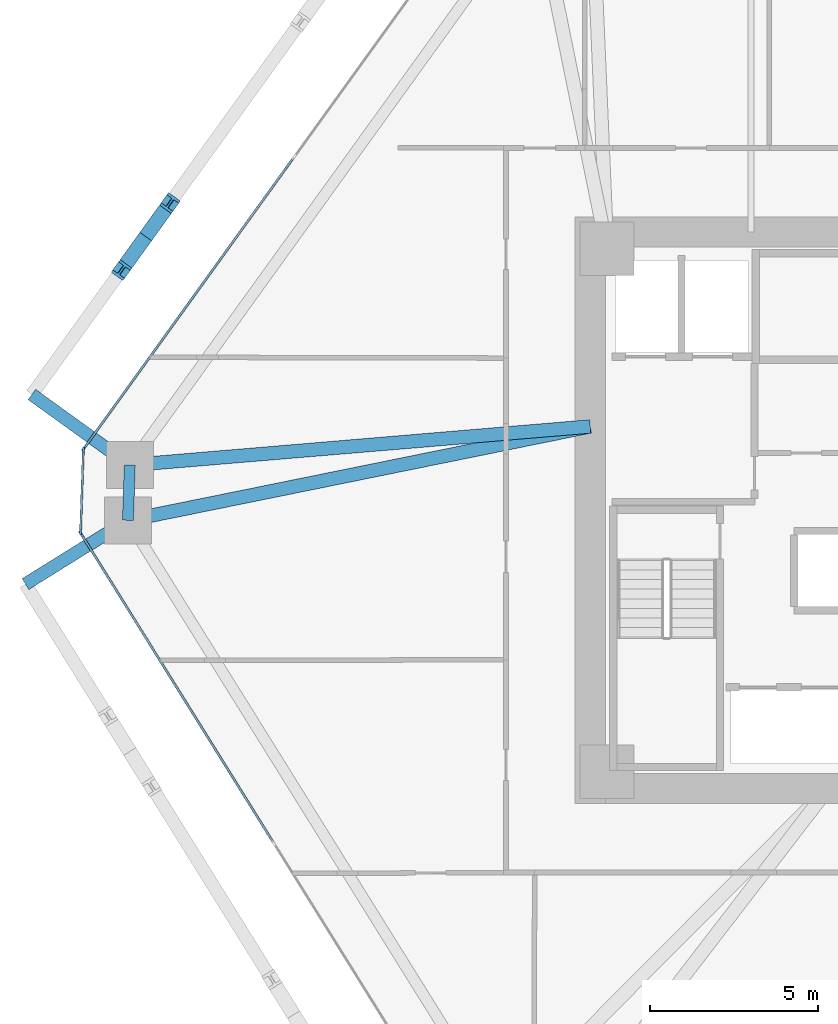
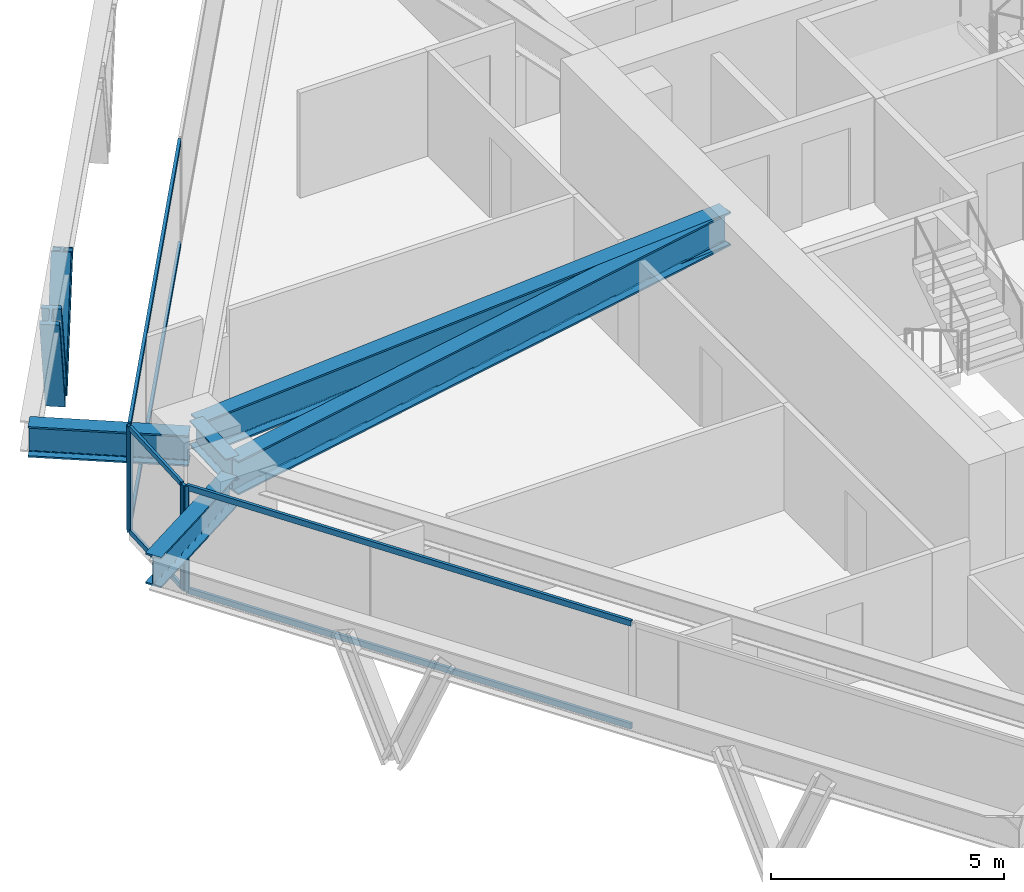
# One storey, part 4 of 15: 12 members, 5 beams, 3 elements without a shape of their own.
"""IFC4 building model written with IfcOpenShell, lengths in metres."""

from ifc_helpers import new_model, si_unit, direction, frame, origin, origin_2d, place, context, subcontext, project, spatial, rectangle, i_section, extrude, source, transform, mapped, material, layer, layer_set, material_profile, profile_set, type_object, type_shapes, element, aggregate, save


model = new_model("IFC4")

# Units and contexts
model_context = context("Model", 3, precision=1e-05, world=origin(), true_north=direction((0.0, 1.0)))
body_context = subcontext(model_context, "Body", "Model", "MODEL_VIEW")
ifc_project = project(units=[si_unit("LENGTHUNIT", "METRE"), si_unit("AREAUNIT", "SQUARE_METRE"), si_unit("VOLUMEUNIT", "CUBIC_METRE"), si_unit("PLANEANGLEUNIT", "RADIAN"), si_unit("MASSUNIT", "GRAM", prefix="KILO")], contexts=[model_context])

# Site, building, storey
site_placement = place(None, origin())
site = spatial("IfcSite", under=ifc_project, at=site_placement, CompositionType="ELEMENT")
building_placement = place(site_placement, origin())
building = spatial("IfcBuilding", under=site, at=building_placement, Name="Durnholm Broadcast Tower", CompositionType="ELEMENT")
storey_placement = place(building_placement, frame((0.0, 0.0, 75.300048828125)))
storey = spatial("IfcBuildingStorey", under=building, at=storey_placement, Name="L19", CompositionType="ELEMENT", Elevation=75.300048828125)

# Beams
ifc_material_1 = material(Name="Steel ASTM A992 Grade 50", Category="steel")
ifc_material_profile_1 = material_profile(ifc_material_1, i_section(OverallWidth=0.3291015625, OverallDepth=0.635009765625, WebThickness=0.017822265625, FlangeThickness=0.031005859375, FilletRadius=0.02783203125, at=origin_2d()), Name="W24X162")
ifc_profile_set_1 = profile_set([ifc_material_profile_1], Name="Steel ASTM A992 Grade 50")
beam_type_1 = type_object("IfcBeamType", Name="STL-SP-W24X162", PredefinedType="SPANDREL", material=ifc_profile_set_1)
shared_shape_1 = source(origin(), body_context, "Body", "SweptSolid", [
    extrude(i_section(OverallWidth=0.3291015625, OverallDepth=0.635009765625, WebThickness=0.017822265625, FlangeThickness=0.031005859375, FilletRadius=0.02783203125, at=origin_2d()), origin(), (0.0, 0.0, 1.0), 1.648193359375),
])
type_shapes(beam_type_1, [shared_shape_1])
beam_1_placement = place(storey_placement, frame((-24.0908203125, -0.2998046875, 2.427490234375), z_axis=(0.033921477804, 0.999424501072, 0.0), x_axis=(-0.999424501072, 0.033921477804, 0.0)))
element("IfcBeam", 1, at=beam_1_placement, inside=storey, type_object=beam_type_1, Name="L19 perimeter spandrel girder 02", PredefinedType="SPANDREL", context=body_context, shape_type="MappedRepresentation", body=[
    mapped(shared_shape_1, transform((0.0, 0.0, 0.0), x_axis=(1.0, 0.0, 0.0), y_axis=(0.0, 1.0, 0.0), z_axis=(0.0, 0.0, 1.0), scale=1.0)),
])
ifc_material_profile_2 = material_profile(ifc_material_1, i_section(OverallWidth=0.404052734375, OverallDepth=0.885009765625, WebThickness=0.0244140625, FlangeThickness=0.0439453125, FilletRadius=0.03564453125, at=origin_2d()), Name="W33X291")
ifc_profile_set_2 = profile_set([ifc_material_profile_2], Name="Steel ASTM A992 Grade 50")
beam_type_2 = type_object("IfcBeamType", Name="STL-GR-W33X291", PredefinedType="USERDEFINED", material=ifc_profile_set_2)
shared_shape_2 = source(origin(), body_context, "Body", "SweptSolid", [
    extrude(i_section(OverallWidth=0.404052734375, OverallDepth=0.885009765625, WebThickness=0.0244140625, FlangeThickness=0.0439453125, FilletRadius=0.03564453125, at=origin_2d()), origin(), (0.0, 0.0, 1.0), 14.072021484375),
])
beam_2_placement = place(storey_placement, frame((-10.300048828125, 2.5, 2.302490234375), z_axis=(-0.980007356767, -0.198961254225, 0.0), x_axis=(0.198961254225, -0.980007356767, 0.0)))
element("IfcBeam", 2, at=beam_2_placement, inside=storey, type_object=beam_type_2, Name="L19 radial primary floor girder 02", ObjectType="GIRDER", PredefinedType="USERDEFINED", context=body_context, shape_type="MappedRepresentation", body=[
    mapped(shared_shape_2, transform((0.0, 0.0, 0.0), x_axis=(1.0, 0.0, 0.0), y_axis=(0.0, 1.0, 0.0), z_axis=(0.0, 0.0, 1.0), scale=1.0)),
])
shared_shape_3 = source(origin(), body_context, "Body", "SweptSolid", [
    extrude(i_section(OverallWidth=0.404052734375, OverallDepth=0.885009765625, WebThickness=0.0244140625, FlangeThickness=0.0439453125, FilletRadius=0.03564453125, at=origin_2d()), origin(), (0.0, 0.0, 1.0), 13.783203125),
])
type_shapes(beam_type_2, [shared_shape_2, shared_shape_3])
beam_3_placement = place(storey_placement, frame((-10.300048828125, 2.5, 2.302490234375), z_axis=(-0.996497460403, -0.083623031579, 0.0), x_axis=(0.083623031579, -0.996497460403, 0.0)))
element("IfcBeam", 3, at=beam_3_placement, inside=storey, type_object=beam_type_2, Name="L19 radial primary floor girder 03", ObjectType="GIRDER", PredefinedType="USERDEFINED", context=body_context, shape_type="MappedRepresentation", body=[
    mapped(shared_shape_3, transform((0.0, 0.0, 0.0), x_axis=(1.0, 0.0, 0.0), y_axis=(0.0, 1.0, 0.0), z_axis=(0.0, 0.0, 1.0), scale=1.0)),
])
ifc_material_profile_3 = material_profile(ifc_material_1, i_section(OverallWidth=0.385009765625, OverallDepth=0.802978515625, WebThickness=0.023681640625, FlangeThickness=0.0419921875, FilletRadius=0.032958984375, at=origin_2d()), Name="W30X261")
ifc_profile_set_3 = profile_set([ifc_material_profile_3], Name="Steel ASTM A992 Grade 50")
beam_type_3 = type_object("IfcBeamType", Name="BM-EXO-TIE", PredefinedType="USERDEFINED", material=ifc_profile_set_3)
shared_shape_4 = source(origin(), body_context, "Body", "SweptSolid", [
    extrude(i_section(OverallWidth=0.385009765625, OverallDepth=0.802978515625, WebThickness=0.023681640625, FlangeThickness=0.0419921875, FilletRadius=0.032958984375, at=origin_2d()), origin(), (0.0, 0.0, 1.0), 3.4560546875),
])
beam_4_placement = place(storey_placement, frame((-24.212890625, -0.375732421875, 2.008544921875), z_axis=(-0.848874183218, -0.528594949906, 0.0), x_axis=(0.528594949906, -0.848874183218, 0.0)))
element("IfcBeam", 4, at=beam_4_placement, inside=storey, type_object=beam_type_3, Name="L19 exoskeleton stand-off tie bracket F6.1", ObjectType="GIRDER", PredefinedType="USERDEFINED", context=body_context, shape_type="MappedRepresentation", body=[
    mapped(shared_shape_4, transform((0.0, 0.0, 0.0), x_axis=(1.0, 0.0, 0.0), y_axis=(0.0, 1.0, 0.0), z_axis=(0.0, 0.0, 1.0), scale=1.0)),
])
shared_shape_5 = source(origin(), body_context, "Body", "SweptSolid", [
    extrude(i_section(OverallWidth=0.385009765625, OverallDepth=0.802978515625, WebThickness=0.023681640625, FlangeThickness=0.0419921875, FilletRadius=0.032958984375, at=origin_2d()), origin(), (0.0, 0.0, 1.0), 3.455810546875),
])
type_shapes(beam_type_3, [shared_shape_4, shared_shape_5])
beam_5_placement = place(storey_placement, frame((-24.15185546875, 1.431396484375, 2.008544921875), z_axis=(-0.811133512552, 0.584861030344, 0.0), x_axis=(-0.584861030344, -0.811133512552, 0.0)))
element("IfcBeam", 5, at=beam_5_placement, inside=storey, type_object=beam_type_3, Name="L19 exoskeleton stand-off tie bracket F5.2", ObjectType="GIRDER", PredefinedType="USERDEFINED", context=body_context, shape_type="MappedRepresentation", body=[
    mapped(shared_shape_5, transform((0.0, 0.0, 0.0), x_axis=(1.0, 0.0, 0.0), y_axis=(0.0, 1.0, 0.0), z_axis=(0.0, 0.0, 1.0), scale=1.0)),
])

# Members
ifc_material_2 = material(Name="Steel ASTM A913 Grade 65", Category="steel")
ifc_material_profile_4 = material_profile(ifc_material_2, i_section(OverallWidth=0.43212890625, OverallDepth=0.497802734375, WebThickness=0.0556640625, FlangeThickness=0.0888671875, FilletRadius=0.030517578125, at=origin_2d()), Name="W14X500")
ifc_profile_set_4 = profile_set([ifc_material_profile_4], Name="Steel ASTM A913 Grade 65")
member_type_1 = type_object("IfcMemberType", Name="STL-DG-W14X500", PredefinedType="BRACE", material=ifc_profile_set_4)
shared_shape_6 = source(origin(), body_context, "Body", "SweptSolid", [
    extrude(i_section(OverallWidth=0.43212890625, OverallDepth=0.497802734375, WebThickness=0.0556640625, FlangeThickness=0.0888671875, FilletRadius=0.030517578125, at=origin_2d()), origin(), (0.0, 0.0, 1.0), 3.243896484375),
])
member_1_placement = place(storey_placement, frame((-23.5595703125, 8.16259765625, -0.991455078125), z_axis=(0.222479198439, 0.308505492017, 0.924839103659), x_axis=(-0.81109123444, 0.58491966065, 0.0)))
element("IfcMember", 6, at=member_1_placement, inside=storey, type_object=member_type_1, Name="L19 stand-off diagrid brace F5.D2.1", PredefinedType="BRACE", context=body_context, shape_type="MappedRepresentation", body=[
    mapped(shared_shape_6, transform((0.0, 0.0, 0.0), x_axis=(1.0, 0.0, 0.0), y_axis=(0.0, 1.0, 0.0), z_axis=(0.0, 0.0, 1.0), scale=1.0)),
])
shared_shape_7 = source(origin(), body_context, "Body", "SweptSolid", [
    extrude(i_section(OverallWidth=0.43212890625, OverallDepth=0.497802734375, WebThickness=0.0556640625, FlangeThickness=0.0888671875, FilletRadius=0.030517578125, at=origin_2d()), origin(), (0.0, 0.0, 1.0), 3.24365234375),
])
type_shapes(member_type_1, [shared_shape_6, shared_shape_7])
member_2_placement = place(storey_placement, frame((-23.5595703125, 8.16259765625, -0.991455078125), z_axis=(-0.222407658365, -0.308510657069, 0.924854587476), x_axis=(0.811185111535, -0.584789461963, 0.0)))
element("IfcMember", 7, at=member_2_placement, inside=storey, type_object=member_type_1, Name="L19 stand-off diagrid brace F5.D2.2", PredefinedType="BRACE", context=body_context, shape_type="MappedRepresentation", body=[
    mapped(shared_shape_7, transform((0.0, 0.0, 0.0), x_axis=(1.0, 0.0, 0.0), y_axis=(0.0, 1.0, 0.0), z_axis=(0.0, 0.0, 1.0), scale=1.0)),
])

# Curtain wall, members
ifc_material_3 = material(Name="Aluminium and Solar Control IGU", Category="aluminium")
ifc_layer_1 = layer(ifc_material_3, 0.1650390625)
ifc_layer_set_1 = layer_set([ifc_layer_1], Name="Aluminium and Solar Control IGU")
curtain_wall_type_1 = type_object("IfcCurtainWallType", Name="CW-SYS-5", PredefinedType="NOTDEFINED", material=ifc_layer_set_1)
curtain_wall_1_placement = place(storey_placement, origin())
curtain_wall_1 = element("IfcCurtainWall", 8, at=curtain_wall_1_placement, inside=storey, type_object=curtain_wall_type_1, Name="L19 curtain wall CW-CORNER CW-L19-CRN-01", PredefinedType="NOTDEFINED")
ifc_material_4 = material(Name="Aluminium 6063-T6", Category="aluminium")
ifc_material_profile_5 = material_profile(ifc_material_4, rectangle(XDim=0.06494140625, YDim=0.1298828125, at=origin_2d()), Name="CWT65X130")
ifc_profile_set_5 = profile_set([ifc_material_profile_5], Name="Aluminium 6063-T6")
member_type_2 = type_object("IfcMemberType", Name="CW-SYS-5-TRN", PredefinedType="USERDEFINED", material=ifc_profile_set_5)
shared_shape_8 = source(origin(), body_context, "Body", "SweptSolid", [
    extrude(rectangle(XDim=0.06494140625, YDim=0.1298828125, at=origin_2d()), origin(), (0.0, 0.0, 1.0), 2.3701171875),
])
type_shapes(member_type_2, [shared_shape_8])
member_3_placement = place(storey_placement, frame((-25.502197265625, -0.613037109375, 0.032470703125), z_axis=(0.033788158898, 0.999429017148, 0.0), x_axis=(-0.999429017148, 0.033788158898, 0.0)))
member_3 = element("IfcMember", 9, at=member_3_placement, type_object=member_type_2, Name="CW-CORNER transom 1.1", ObjectType="TRANSOM", PredefinedType="USERDEFINED", context=body_context, shape_type="MappedRepresentation", body=[
    mapped(shared_shape_8, transform((0.0, 0.0, 0.0), x_axis=(1.0, 0.0, 0.0), y_axis=(0.0, 1.0, 0.0), z_axis=(0.0, 0.0, 1.0), scale=1.0)),
])
member_4_placement = place(storey_placement, frame((-25.502197265625, -0.613037109375, 2.7275390625), z_axis=(0.033788158898, 0.999429017148, 0.0), x_axis=(-0.999429017148, 0.033788158898, 0.0)))
member_4 = element("IfcMember", 10, at=member_4_placement, type_object=member_type_2, Name="CW-CORNER transom 1.2", ObjectType="TRANSOM", PredefinedType="USERDEFINED", context=body_context, shape_type="MappedRepresentation", body=[
    mapped(shared_shape_8, transform((0.0, 0.0, 0.0), x_axis=(1.0, 0.0, 0.0), y_axis=(0.0, 1.0, 0.0), z_axis=(0.0, 0.0, 1.0), scale=1.0)),
])

ifc_layer_2 = layer(ifc_material_3, 0.18994140625)
ifc_layer_set_2 = layer_set([ifc_layer_2], Name="Aluminium and Solar Control IGU")
curtain_wall_type_2 = type_object("IfcCurtainWallType", Name="CW-SYS-3", PredefinedType="NOTDEFINED", material=ifc_layer_set_2)
curtain_wall_2_placement = place(storey_placement, origin())
curtain_wall_2 = element("IfcCurtainWall", 11, at=curtain_wall_2_placement, inside=storey, type_object=curtain_wall_type_2, Name="L19 curtain wall CW-Z12-VIS CW-L19-F02", PredefinedType="NOTDEFINED")
ifc_material_profile_6 = material_profile(ifc_material_4, rectangle(XDim=0.070068359375, YDim=0.14990234375, at=origin_2d()), Name="CWT70X150")
ifc_profile_set_6 = profile_set([ifc_material_profile_6], Name="Aluminium 6063-T6")
member_type_3 = type_object("IfcMemberType", Name="CW-SYS-3-TRN", PredefinedType="USERDEFINED", material=ifc_profile_set_6)
shared_shape_9 = source(origin(), body_context, "Body", "SweptSolid", [
    extrude(rectangle(XDim=0.070068359375, YDim=0.14990234375, at=origin_2d()), origin(), (0.0, 0.0, 1.0), 10.6455078125),
])
member_5_placement = place(storey_placement, frame((-25.37890625, 1.877197265625, 0.034912109375), z_axis=(0.584812103659, 0.811168788486, 0.0), x_axis=(-0.811168788486, 0.584812103659, 0.0)))
member_5 = element("IfcMember", 12, at=member_5_placement, type_object=member_type_3, Name="CW-Z12-VIS transom 1.1", ObjectType="TRANSOM", PredefinedType="USERDEFINED", context=body_context, shape_type="MappedRepresentation", body=[
    mapped(shared_shape_9, transform((0.0, 0.0, 0.0), x_axis=(1.0, 0.0, 0.0), y_axis=(0.0, 1.0, 0.0), z_axis=(0.0, 0.0, 1.0), scale=1.0)),
])
member_6_placement = place(storey_placement, frame((-25.37890625, 1.877197265625, 2.724853515625), z_axis=(0.584812103659, 0.811168788486, 0.0), x_axis=(-0.811168788486, 0.584812103659, 0.0)))
member_6 = element("IfcMember", 13, at=member_6_placement, type_object=member_type_3, Name="CW-Z12-VIS transom 1.2", ObjectType="TRANSOM", PredefinedType="USERDEFINED", context=body_context, shape_type="MappedRepresentation", body=[
    mapped(shared_shape_9, transform((0.0, 0.0, 0.0), x_axis=(1.0, 0.0, 0.0), y_axis=(0.0, 1.0, 0.0), z_axis=(0.0, 0.0, 1.0), scale=1.0)),
])

curtain_wall_3_placement = place(storey_placement, origin())
curtain_wall_3 = element("IfcCurtainWall", 14, at=curtain_wall_3_placement, inside=storey, type_object=curtain_wall_type_2, Name="L19 curtain wall CW-Z12-VIS CW-L19-F12", PredefinedType="NOTDEFINED")
shared_shape_10 = source(origin(), body_context, "Body", "SweptSolid", [
    extrude(rectangle(XDim=0.070068359375, YDim=0.14990234375, at=origin_2d()), origin(), (0.0, 0.0, 1.0), 10.796630859375),
])
type_shapes(member_type_3, [shared_shape_9, shared_shape_10])
member_7_placement = place(storey_placement, frame((-19.760498046875, -9.902587890625, 0.034912109375), z_axis=(-0.528575362968, 0.848886379714, 0.0), x_axis=(-0.848886379714, -0.528575362968, 0.0)))
member_7 = element("IfcMember", 15, at=member_7_placement, type_object=member_type_3, Name="CW-Z12-VIS transom 2.1", ObjectType="TRANSOM", PredefinedType="USERDEFINED", context=body_context, shape_type="MappedRepresentation", body=[
    mapped(shared_shape_10, transform((0.0, 0.0, 0.0), x_axis=(1.0, 0.0, 0.0), y_axis=(0.0, 1.0, 0.0), z_axis=(0.0, 0.0, 1.0), scale=1.0)),
])
member_8_placement = place(storey_placement, frame((-19.760498046875, -9.902587890625, 2.724853515625), z_axis=(-0.528575362968, 0.848886379714, 0.0), x_axis=(-0.848886379714, -0.528575362968, 0.0)))
member_8 = element("IfcMember", 16, at=member_8_placement, type_object=member_type_3, Name="CW-Z12-VIS transom 2.2", ObjectType="TRANSOM", PredefinedType="USERDEFINED", context=body_context, shape_type="MappedRepresentation", body=[
    mapped(shared_shape_10, transform((0.0, 0.0, 0.0), x_axis=(1.0, 0.0, 0.0), y_axis=(0.0, 1.0, 0.0), z_axis=(0.0, 0.0, 1.0), scale=1.0)),
])

# Member
ifc_material_profile_7 = material_profile(ifc_material_4, rectangle(XDim=0.06494140625, YDim=0.1650390625, at=origin_2d()), Name="CWM65X165")
ifc_profile_set_7 = profile_set([ifc_material_profile_7], Name="Aluminium 6063-T6")
member_type_4 = type_object("IfcMemberType", Name="CW-SYS-5-MUL", PredefinedType="MULLION", material=ifc_profile_set_7)
shared_shape_11 = source(origin(), body_context, "Body", "SweptSolid", [
    extrude(rectangle(XDim=0.06494140625, YDim=0.1650390625, at=origin_2d()), origin(), (0.0, 0.0, 1.0), 2.760009765625),
])
type_shapes(member_type_4, [shared_shape_11])
member_9_placement = place(storey_placement, frame((-25.50341796875, -0.6455078125, 0.0), z_axis=(0.0, 0.0, 1.0), x_axis=(-0.999427277772, 0.033839569233, 0.0)))
member_9 = element("IfcMember", 17, at=member_9_placement, type_object=member_type_4, Name="CW-CORNER mullion 1", PredefinedType="MULLION", context=body_context, shape_type="MappedRepresentation", body=[
    mapped(shared_shape_11, transform((0.0, 0.0, 0.0), x_axis=(1.0, 0.0, 0.0), y_axis=(0.0, 1.0, 0.0), z_axis=(0.0, 0.0, 1.0), scale=1.0)),
])

member_10_placement = place(storey_placement, frame((-25.4208984375, 1.7880859375, 0.0), z_axis=(0.0, 0.0, 1.0), x_axis=(-0.999427277772, 0.033839569233, 0.0)))
member_10 = element("IfcMember", 18, at=member_10_placement, type_object=member_type_4, Name="CW-CORNER mullion 2", PredefinedType="MULLION", context=body_context, shape_type="MappedRepresentation", body=[
    mapped(shared_shape_11, transform((0.0, 0.0, 0.0), x_axis=(1.0, 0.0, 0.0), y_axis=(0.0, 1.0, 0.0), z_axis=(0.0, 0.0, 1.0), scale=1.0)),
])

aggregate(curtain_wall_1, [member_9, member_10, member_3, member_4])

ifc_material_profile_8 = material_profile(ifc_material_4, rectangle(XDim=0.070068359375, YDim=0.18994140625, at=origin_2d()), Name="CWM70X190")
ifc_profile_set_8 = profile_set([ifc_material_profile_8], Name="Aluminium 6063-T6")
member_type_5 = type_object("IfcMemberType", Name="CW-SYS-3-MUL", PredefinedType="MULLION", material=ifc_profile_set_8)
shared_shape_12 = source(origin(), body_context, "Body", "SweptSolid", [
    extrude(rectangle(XDim=0.070068359375, YDim=0.18994140625, at=origin_2d()), origin(), (0.0, 0.0, 1.0), 2.760009765625),
])
type_shapes(member_type_5, [shared_shape_12])
member_11_placement = place(storey_placement, frame((-25.3994140625, 1.848876953125, 0.0), z_axis=(0.0, 0.0, 1.0), x_axis=(-0.81116057493, 0.584823496176, 0.0)))
member_11 = element("IfcMember", 19, at=member_11_placement, type_object=member_type_5, Name="CW-Z12-VIS mullion 1", PredefinedType="MULLION", context=body_context, shape_type="MappedRepresentation", body=[
    mapped(shared_shape_12, transform((0.0, 0.0, 0.0), x_axis=(1.0, 0.0, 0.0), y_axis=(0.0, 1.0, 0.0), z_axis=(0.0, 0.0, 1.0), scale=1.0)),
])

aggregate(curtain_wall_2, [member_11, member_5, member_6])

member_12_placement = place(storey_placement, frame((-25.48583984375, -0.707763671875, 0.0), z_axis=(0.0, 0.0, 1.0), x_axis=(-0.848875785503, -0.528592376777, 0.0)))
member_12 = element("IfcMember", 20, at=member_12_placement, type_object=member_type_5, Name="CW-Z12-VIS mullion 3", PredefinedType="MULLION", context=body_context, shape_type="MappedRepresentation", body=[
    mapped(shared_shape_12, transform((0.0, 0.0, 0.0), x_axis=(1.0, 0.0, 0.0), y_axis=(0.0, 1.0, 0.0), z_axis=(0.0, 0.0, 1.0), scale=1.0)),
])

aggregate(curtain_wall_3, [member_12, member_7, member_8])

save(model, "model.ifc")
